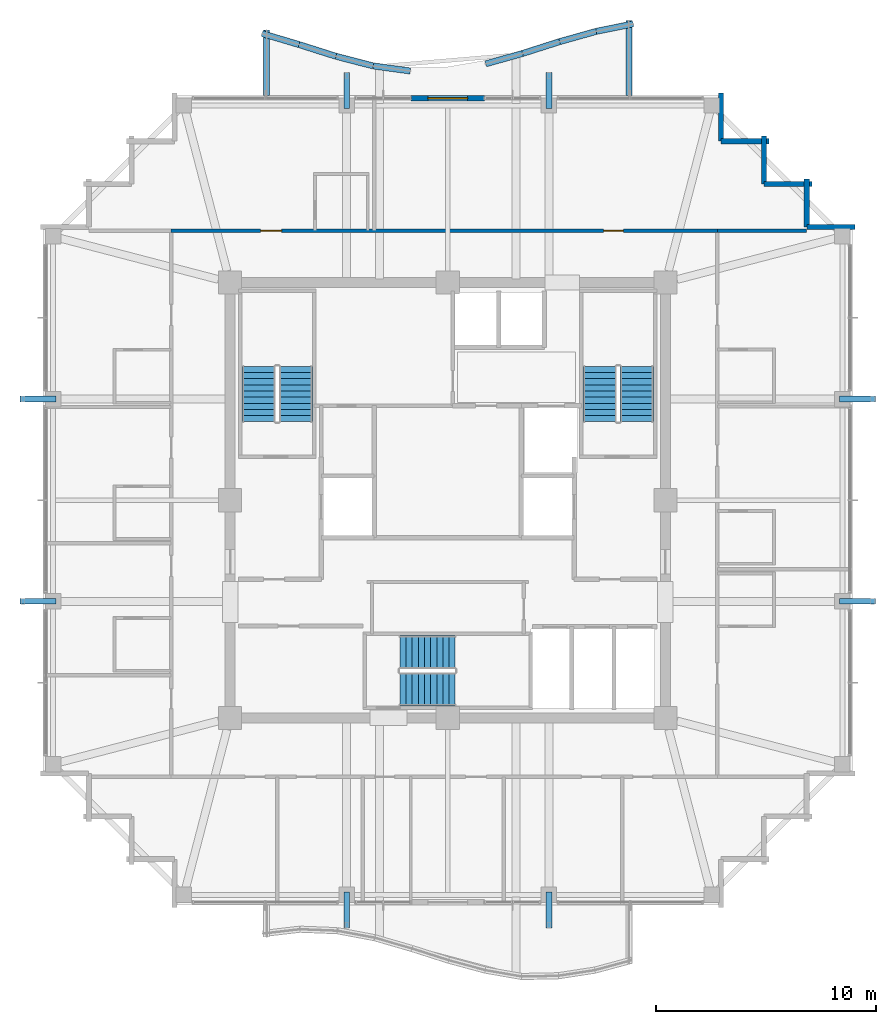
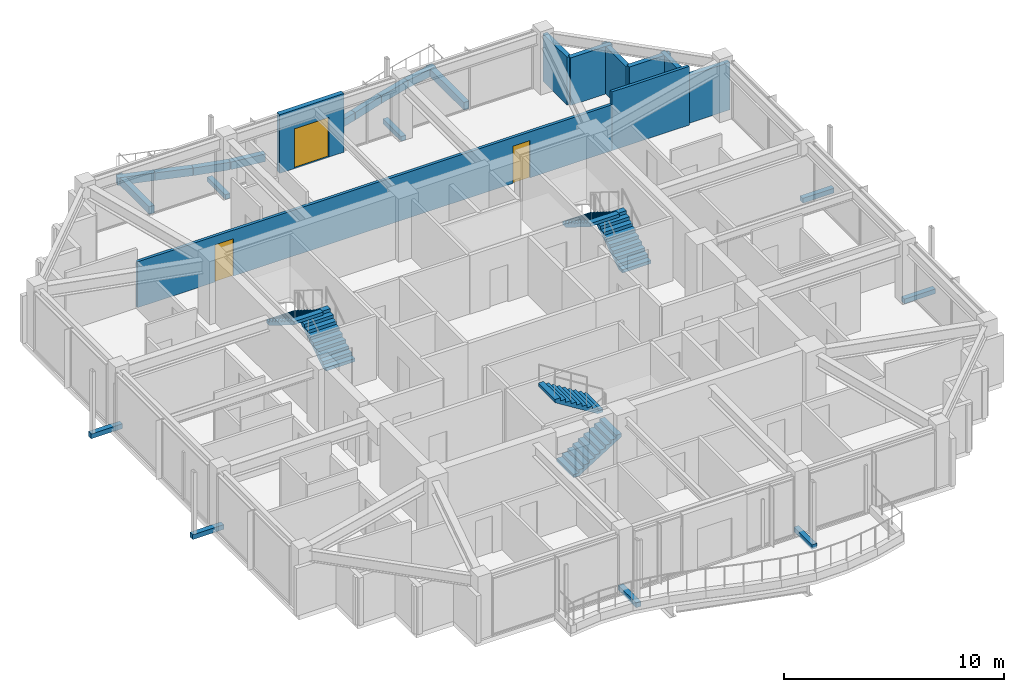
# One storey, part 29 of 31: 19 walls, 8 discrete accessories, 6 stair flights, 3 doors, 3 openings, 3 elements without a shape of their own.
"""IFC4 building model written with IfcOpenShell, lengths in metres."""

from ifc_helpers import new_model, si_unit, direction, frame, frame_2d, origin, origin_2d, place, context, subcontext, project, spatial, polyline, rectangle, outline, extrude, material, layer, layer_set, type_object, element, fill, aggregate, save


model = new_model("IFC4")

# Units and contexts
model_context = context("Model", 3, precision=1e-05, world=origin(), true_north=direction((0.0, 1.0)))
body_context = subcontext(model_context, "Body", "Model", "MODEL_VIEW")
ifc_project = project(units=[si_unit("LENGTHUNIT", "METRE"), si_unit("AREAUNIT", "SQUARE_METRE"), si_unit("VOLUMEUNIT", "CUBIC_METRE"), si_unit("PLANEANGLEUNIT", "RADIAN"), si_unit("MASSUNIT", "GRAM", prefix="KILO")], contexts=[model_context])

# Site, building, storey
site_placement = place(None, origin())
site = spatial("IfcSite", under=ifc_project, at=site_placement, CompositionType="ELEMENT")
building_placement = place(site_placement, origin())
building = spatial("IfcBuilding", under=site, at=building_placement, Name="Kolvaren Belvedere", CompositionType="ELEMENT")
storey_placement = place(building_placement, frame((0.0, 0.0, 247.89990234375)))
storey = spatial("IfcBuildingStorey", under=building, at=storey_placement, Name="L72", CompositionType="ELEMENT", Elevation=247.89990234375)

# Wall, openings, doors
ifc_material_1 = material(Name="Gypsum fire-rated partition assembly", Category="gypsum")
ifc_layer_1 = layer(ifc_material_1, 0.14990234375)
ifc_layer_set_1 = layer_set([ifc_layer_1], Name="Gypsum fire-rated partition assembly")
wall_type_1 = type_object("IfcWallType", Name="WL-CORR-150", PredefinedType="PARTITIONING", material=ifc_layer_set_1)
wall_1_placement = place(storey_placement, frame((-12.580078125, 12.260009765625, 0.0), z_axis=(0.0, 0.0, 1.0), x_axis=(1.0, 0.0, 0.0)))
wall_1 = element("IfcWall", 1, at=wall_1_placement, inside=storey, type_object=wall_type_1, Name="L72 North Corridor Wall", PredefinedType="PARTITIONING", context=body_context, shape_type="SweptSolid", body=[
    extrude(rectangle(XDim=24.840087890625, YDim=0.14990234375, at=frame_2d((12.419921875, 0.0))), origin(), (0.0, 0.0, 1.0), 2.5390625),
])
opening_1_placement = place(wall_1_placement, frame((4.072998046875, 0.0, 0.0)))
opening_1 = element("IfcOpeningElement", 2, at=opening_1_placement, cuts=wall_1, Name="Opening D-FD60", PredefinedType="OPENING", context=body_context, shape_type="SweptSolid", body=[
    extrude(rectangle(XDim=0.949951171875, YDim=2.06005859375, at=frame_2d((0.47509765625, 1.030029296875))), frame((0.0, 0.0849609375, 0.0), z_axis=(0.0, -1.0, 0.0), x_axis=(1.0, 0.0, 0.0)), (0.0, 0.0, 1.0), 0.169921875),
])
opening_2_placement = place(wall_1_placement, frame((19.6650390625, 0.0, 0.0)))
opening_2 = element("IfcOpeningElement", 3, at=opening_2_placement, cuts=wall_1, Name="Opening D-INT90", PredefinedType="OPENING", context=body_context, shape_type="SweptSolid", body=[
    extrude(rectangle(XDim=0.89990234375, YDim=2.06005859375, at=frame_2d((0.449951171875, 1.030029296875))), frame((0.0, 0.0849609375, 0.0), z_axis=(0.0, -1.0, 0.0), x_axis=(1.0, 0.0, 0.0)), (0.0, 0.0, 1.0), 0.169921875),
])
ifc_material_2 = material(Name="Acoustic white-oak fire door leaf", Category="timber")
door_type_1 = type_object("IfcDoorType", Name="DR-FD60-950", OperationType="NOTDEFINED", PredefinedType="DOOR", material=ifc_material_2)
door_1_placement = place(opening_1_placement, origin())
door_1 = element("IfcDoor", 4, at=door_1_placement, inside=storey, type_object=door_type_1, Name="L72 King Guest Room 7212 Entry Door", OperationType="SINGLE_SWING_RIGHT", OverallHeight=2.06005859375, OverallWidth=0.949951171875, PredefinedType="DOOR", context=body_context, shape_type="SweptSolid", body=[
    extrude(rectangle(XDim=0.949951171875, YDim=2.06005859375, at=frame_2d((0.47509765625, 1.030029296875))), frame((0.0, 0.02490234375, 0.0), z_axis=(0.0, -1.0, 0.0), x_axis=(1.0, 0.0, 0.0)), (0.0, 0.0, 1.0), 0.050048828125),
])
fill(opening_1, door_1)
ifc_material_3 = material(Name="Stained Pacific white oak", Category="timber")
door_type_2 = type_object("IfcDoorType", Name="DR-INT-900", OperationType="NOTDEFINED", PredefinedType="DOOR", material=ifc_material_3)
door_2_placement = place(opening_2_placement, origin())
door_2 = element("IfcDoor", 5, at=door_2_placement, inside=storey, type_object=door_type_2, Name="L72 Lounge 7213 Door", OperationType="SINGLE_SWING_LEFT", OverallHeight=2.06005859375, OverallWidth=0.89990234375, PredefinedType="DOOR", context=body_context, shape_type="SweptSolid", body=[
    extrude(rectangle(XDim=0.89990234375, YDim=2.06005859375, at=frame_2d((0.449951171875, 1.030029296875))), frame((0.0, 0.02490234375, 0.0), z_axis=(0.0, -1.0, 0.0), x_axis=(1.0, 0.0, 0.0)), (0.0, 0.0, 1.0), 0.050048828125),
])
fill(opening_2, door_2)

# Walls
ifc_material_4 = material(Name="Insulated pale-metal facade wall assembly", Category="aluminium")
ifc_layer_2 = layer(ifc_material_4, 0.239990234375)
ifc_layer_set_2 = layer_set([ifc_layer_2], Name="Insulated pale-metal facade wall assembly")
wall_type_2 = type_object("IfcWallType", Name="WL-EXT-240", PredefinedType="STANDARD", material=ifc_layer_set_2)
wall_2_placement = place(storey_placement, frame((16.330078125, 12.429931640625, 0.0), z_axis=(0.0, 0.0, 1.0), x_axis=(1.0, 0.0, 0.0)))
element("IfcWall", 6, at=wall_2_placement, inside=storey, type_object=wall_type_2, Name="L72 Serrated Corner Facade Wall 9", PredefinedType="STANDARD", context=body_context, shape_type="SweptSolid", body=[
    extrude(rectangle(XDim=2.18994140625, YDim=0.239990234375, at=frame_2d((1.094970703125, 0.0))), origin(), (0.0, 0.0, 1.0), 2.633056640625),
])
for number, where, z_axis, x_axis, name in (
    (7, (16.330078125, 14.6201171875, 0.0), (0.0, 0.0, 1.0), (0.0, -1.0, 0.0), "L72 Serrated Corner Facade Wall 10"),
    (8, (14.3798828125, 14.3798828125, 0.0), (0.0, 0.0, 1.0), (1.0, 0.0, 0.0), "L72 Serrated Corner Facade Wall 11"),
    (9, (14.3798828125, 16.570068359375, 0.0), (0.0, 0.0, 1.0), (0.0, -1.0, 0.0), "L72 Serrated Corner Facade Wall 12"),
    (10, (12.429931640625, 16.330078125, 0.0), (0.0, 0.0, 1.0), (1.0, 0.0, 0.0), "L72 Serrated Corner Facade Wall 13"),
):
    element("IfcWall", number, at=place(storey_placement, frame(where, z_axis=z_axis, x_axis=x_axis)), inside=storey, type_object=wall_type_2, Name=name, PredefinedType="STANDARD", context=body_context, shape_type="SweptSolid", body=[
        extrude(rectangle(XDim=2.190185546875, YDim=0.239990234375, at=frame_2d((1.09521484375, 0.0))), origin(), (0.0, 0.0, 1.0), 2.633056640625),
    ])
wall_3_placement = place(storey_placement, frame((12.429931640625, 18.52001953125, 0.0), z_axis=(0.0, 0.0, 1.0), x_axis=(0.0, -1.0, 0.0)))
element("IfcWall", 11, at=wall_3_placement, inside=storey, type_object=wall_type_2, Name="L72 Serrated Corner Facade Wall 14", PredefinedType="STANDARD", context=body_context, shape_type="SweptSolid", body=[
    extrude(rectangle(XDim=2.18994140625, YDim=0.239990234375, at=frame_2d((1.094970703125, 0.0))), origin(), (0.0, 0.0, 1.0), 2.633056640625),
])

# Wall, opening, door
wall_4_placement = place(storey_placement, frame((-1.679931640625, 18.280029296875, 0.0), z_axis=(0.0, 0.0, 1.0), x_axis=(1.0, 0.0, 0.0)))
wall_4 = element("IfcWall", 12, at=wall_4_placement, inside=storey, type_object=wall_type_2, Name="L72 North Terrace Portal Wall", PredefinedType="STANDARD", context=body_context, shape_type="SweptSolid", body=[
    extrude(rectangle(XDim=3.35986328125, YDim=0.239990234375, at=frame_2d((1.679931640625, 0.0))), origin(), (0.0, 0.0, 1.0), 3.25),
])
opening_3_placement = place(wall_4_placement, frame((0.780029296875, 0.0, 0.0)))
opening_3 = element("IfcOpeningElement", 13, at=opening_3_placement, cuts=wall_4, Name="Opening DB-1800", PredefinedType="OPENING", context=body_context, shape_type="SweptSolid", body=[
    extrude(rectangle(XDim=1.800048828125, YDim=2.199951171875, at=frame_2d((0.89990234375, 1.10009765625))), frame((0.0, 0.1298828125, 0.0), z_axis=(0.0, -1.0, 0.0), x_axis=(1.0, 0.0, 0.0)), (0.0, 0.0, 1.0), 0.260009765625),
])
ifc_material_5 = material(Name="Thermally broken pale-metal aluminium & low-iron glass", Category="aluminium")
door_type_3 = type_object("IfcDoorType", Name="DR-BAL-1800", OperationType="DOUBLE_DOOR_SLIDING", PredefinedType="DOOR", material=ifc_material_5)
door_3_placement = place(opening_3_placement, origin())
door_3 = element("IfcDoor", 14, at=door_3_placement, inside=storey, type_object=door_type_3, Name="L72 North Planted Terrace Sliding Door", OperationType="DOUBLE_DOOR_SLIDING", OverallHeight=2.199951171875, OverallWidth=1.800048828125, PredefinedType="DOOR", context=body_context, shape_type="SweptSolid", body=[
    extrude(rectangle(XDim=1.800048828125, YDim=2.199951171875, at=frame_2d((0.89990234375, 1.10009765625))), frame((0.0, 0.02490234375, 0.0), z_axis=(0.0, -1.0, 0.0), x_axis=(1.0, 0.0, 0.0)), (0.0, 0.0, 1.0), 0.050048828125),
])
fill(opening_3, door_3)

# Walls
ifc_material_6 = material(Name="Gypsum acoustic partition assembly", Category="gypsum")
ifc_layer_3 = layer(ifc_material_6, 0.14990234375)
ifc_layer_set_3 = layer_set([ifc_layer_3], Name="Gypsum acoustic partition assembly")
wall_type_3 = type_object("IfcWallType", Name="WL-PART-150", PredefinedType="PARTITIONING", material=ifc_layer_set_3)
wall_5_placement = place(storey_placement, frame((12.260009765625, 12.260009765625, 0.0), z_axis=(0.0, 0.0, 1.0), x_axis=(1.0, 0.0, 0.0)))
element("IfcWall", 15, at=wall_5_placement, inside=storey, type_object=wall_type_3, Name="L72 Wing Divider PW-L72-QNE", PredefinedType="PARTITIONING", context=body_context, shape_type="SweptSolid", body=[
    extrude(rectangle(XDim=4.06005859375, YDim=0.14990234375, at=frame_2d((2.030029296875, 0.0))), origin(), (0.0, 0.0, 1.0), 3.25),
])
ifc_material_7 = material(Name="Precast concrete C40/50", Category="concrete")
ifc_layer_4 = layer(ifc_material_7, 0.300048828125)
ifc_layer_set_4 = layer_set([ifc_layer_4], Name="Precast concrete C40/50")
wall_type_4 = type_object("IfcWallType", Name="WL-PLANTER-300", PredefinedType="PARAPET", material=ifc_layer_set_4)
wall_6_placement = place(storey_placement, frame((8.239990234375, 18.39990234375, -0.06982421875), z_axis=(0.0, 0.0, 1.0), x_axis=(0.0, 1.0, 0.0)))
element("IfcWall", 16, at=wall_6_placement, inside=storey, type_object=wall_type_4, Name="L72 Precast Structural Planter Wall BAL-N-11", PredefinedType="PARAPET", context=body_context, shape_type="SweptSolid", body=[
    extrude(rectangle(XDim=3.420166015625, YDim=0.280029296875, at=frame_2d((1.7099609375, 0.0))), origin(), (0.0, 0.0, 1.0), 0.419921875),
])
wall_7_placement = place(storey_placement, frame((8.431884765625, 21.6630859375, -0.06982421875), z_axis=(0.0, 0.0, 1.0), x_axis=(-0.980067977123, -0.198662427795, 0.0)))
element("IfcWall", 17, at=wall_7_placement, inside=storey, type_object=wall_type_4, Name="L72 Precast Structural Planter Wall BAL-N-12", PredefinedType="PARAPET", context=body_context, shape_type="SweptSolid", body=[
    extrude(rectangle(XDim=1.71435546875, YDim=0.280029296875, at=frame_2d((0.857177734375, 0.0))), origin(), (0.0, 0.0, 1.0), 0.419921875),
])
wall_8_placement = place(storey_placement, frame((6.76318359375, 21.3251953125, -0.06982421875), z_axis=(0.0, 0.0, 1.0), x_axis=(-0.962916043401, -0.269801210823, 0.0)))
element("IfcWall", 18, at=wall_8_placement, inside=storey, type_object=wall_type_4, Name="L72 Precast Structural Planter Wall BAL-N-13", PredefinedType="PARAPET", context=body_context, shape_type="SweptSolid", body=[
    extrude(rectangle(XDim=1.74462890625, YDim=0.280029296875, at=frame_2d((0.872314453125, 0.0))), origin(), (0.0, 0.0, 1.0), 0.419921875),
])
wall_9_placement = place(storey_placement, frame((5.088623046875, 20.856201171875, -0.06982421875), z_axis=(0.0, 0.0, 1.0), x_axis=(-0.952501264923, -0.304534629099, 0.0)))
element("IfcWall", 19, at=wall_9_placement, inside=storey, type_object=wall_type_4, Name="L72 Precast Structural Planter Wall BAL-N-14", PredefinedType="PARAPET", context=body_context, shape_type="SweptSolid", body=[
    extrude(rectangle(XDim=1.763671875, YDim=0.280029296875, at=frame_2d((0.8818359375, 0.0))), origin(), (0.0, 0.0, 1.0), 0.419921875),
])
wall_10_placement = place(storey_placement, frame((3.4033203125, 20.3173828125, -0.06982421875), z_axis=(0.0, 0.0, 1.0), x_axis=(-0.962926227834, -0.269764860108, 0.0)))
element("IfcWall", 20, at=wall_10_placement, inside=storey, type_object=wall_type_4, Name="L72 Precast Structural Planter Wall BAL-N-15", PredefinedType="PARAPET", context=body_context, shape_type="SweptSolid", body=[
    extrude(rectangle(XDim=1.744873046875, YDim=0.280029296875, at=frame_2d((0.87255859375, 0.0))), origin(), (0.0, 0.0, 1.0), 0.419921875),
])
wall_11_placement = place(storey_placement, frame((-1.70166015625, 19.5205078125, -0.06982421875), z_axis=(0.0, 0.0, 1.0), x_axis=(-0.990855562068, 0.134926850989, 0.0)))
element("IfcWall", 21, at=wall_11_placement, inside=storey, type_object=wall_type_4, Name="L72 Precast Structural Planter Wall BAL-N-18", PredefinedType="PARAPET", context=body_context, shape_type="SweptSolid", body=[
    extrude(rectangle(XDim=1.695556640625, YDim=0.280029296875, at=frame_2d((0.84765625, 0.0))), origin(), (0.0, 0.0, 1.0), 0.419921875),
])
wall_12_placement = place(storey_placement, frame((-3.400146484375, 19.7529296875, -0.06982421875), z_axis=(0.0, 0.0, 1.0), x_axis=(-0.968132209145, 0.250439664624, 0.0)))
element("IfcWall", 22, at=wall_12_placement, inside=storey, type_object=wall_type_4, Name="L72 Precast Structural Planter Wall BAL-N-19", PredefinedType="PARAPET", context=body_context, shape_type="SweptSolid", body=[
    extrude(rectangle(XDim=1.7353515625, YDim=0.280029296875, at=frame_2d((0.86767578125, 0.0))), origin(), (0.0, 0.0, 1.0), 0.419921875),
])
wall_13_placement = place(storey_placement, frame((-5.08837890625, 20.18994140625, -0.06982421875), z_axis=(0.0, 0.0, 1.0), x_axis=(-0.953181954832, 0.302397356111, 0.0)))
element("IfcWall", 23, at=wall_13_placement, inside=storey, type_object=wall_type_4, Name="L72 Precast Structural Planter Wall BAL-N-20", PredefinedType="PARAPET", context=body_context, shape_type="SweptSolid", body=[
    extrude(rectangle(XDim=1.762451171875, YDim=0.280029296875, at=frame_2d((0.88134765625, 0.0))), origin(), (0.0, 0.0, 1.0), 0.419921875),
])
wall_14_placement = place(storey_placement, frame((-6.765625, 20.721923828125, -0.06982421875), z_axis=(0.0, 0.0, 1.0), x_axis=(-0.958525043221, 0.28500831833, 0.0)))
element("IfcWall", 24, at=wall_14_placement, inside=storey, type_object=wall_type_4, Name="L72 Precast Structural Planter Wall BAL-N-21", PredefinedType="PARAPET", context=body_context, shape_type="SweptSolid", body=[
    extrude(rectangle(XDim=1.752685546875, YDim=0.280029296875, at=frame_2d((0.87646484375, 0.0))), origin(), (0.0, 0.0, 1.0), 0.419921875),
])
wall_15_placement = place(storey_placement, frame((-8.239990234375, 21.374755859375, -0.06982421875), z_axis=(0.0, 0.0, 1.0), x_axis=(0.0, -1.0, 0.0)))
element("IfcWall", 25, at=wall_15_placement, inside=storey, type_object=wall_type_4, Name="L72 Precast Structural Planter Wall BAL-N-22", PredefinedType="PARAPET", context=body_context, shape_type="SweptSolid", body=[
    extrude(rectangle(XDim=2.974853515625, YDim=0.280029296875, at=frame_2d((1.4873046875, 0.0))), origin(), (0.0, 0.0, 1.0), 0.419921875),
])

# Stair, stair flights
ifc_material_8 = material(Name="Concrete C50/60", Category="concrete")
stair_type = type_object("IfcStairType", Name="ST-CORE-1520", PredefinedType="HALF_TURN_STAIR", material=ifc_material_8)
stair_1_placement = place(storey_placement, origin())
stair_1 = element("IfcStair", 26, at=stair_1_placement, inside=storey, type_object=stair_type, Name="L72 Protected Exit Stair ST-1", PredefinedType="HALF_TURN_STAIR")
ifc_material_9 = material(Name="Concrete C50/60", Category="concrete")
stair_flight_type = type_object("IfcStairFlightType", Name="SF-STR-1520", PredefinedType="STRAIGHT", material=ifc_material_9)
stair_flight_1_placement = place(storey_placement, frame((-6.919921875, 3.570068359375, 0.0), z_axis=(0.0, 0.0, 1.0), x_axis=(0.0, 1.0, 0.0)))
stair_flight_1 = element("IfcStairFlight", 27, at=stair_flight_1_placement, type_object=stair_flight_type, Name="ST-1 flight 1", NumberOfRisers=10, NumberOfTreads=9, PredefinedType="STRAIGHT", RiserHeight=0.175, TreadLength=0.28, context=body_context, shape_type="SweptSolid", body=[
    extrude(outline(polyline([(0.0, 0.0), (0.0, 0.175048828125), (0.280029296875, 0.175048828125), (0.280029296875, 0.35009765625), (0.56005859375, 0.35009765625), (0.56005859375, 0.52490234375), (0.840087890625, 0.52490234375), (0.840087890625, 0.699951171875), (1.1201171875, 0.699951171875), (1.1201171875, 0.875), (1.39990234375, 0.875), (1.39990234375, 1.050048828125), (1.679931640625, 1.050048828125), (1.679931640625, 1.22509765625), (1.9599609375, 1.22509765625), (1.9599609375, 1.39990234375), (2.239990234375, 1.39990234375), (2.239990234375, 1.574951171875), (2.52001953125, 1.574951171875), (2.52001953125, 1.75), (2.52001953125, 1.398193359375), (0.28271484375, 0.0), (0.0, 0.0)])), frame((0.0, 0.760009765625, 0.0), z_axis=(0.0, -1.0, 0.0), x_axis=(1.0, 0.0, 0.0)), (0.0, 0.0, 1.0), 1.52001953125),
])
stair_flight_2_placement = place(storey_placement, frame((-8.590087890625, 6.090087890625, 1.75), z_axis=(0.0, 0.0, 1.0), x_axis=(0.0, -1.0, 0.0)))
stair_flight_2 = element("IfcStairFlight", 28, at=stair_flight_2_placement, type_object=stair_flight_type, Name="ST-1 flight 2", NumberOfRisers=10, NumberOfTreads=9, PredefinedType="STRAIGHT", RiserHeight=0.175, TreadLength=0.28, context=body_context, shape_type="SweptSolid", body=[
    extrude(outline(polyline([(0.0, 0.0), (0.0, 0.175048828125), (0.280029296875, 0.175048828125), (0.280029296875, 0.35009765625), (0.56005859375, 0.35009765625), (0.56005859375, 0.52490234375), (0.840087890625, 0.52490234375), (0.840087890625, 0.699951171875), (1.1201171875, 0.699951171875), (1.1201171875, 0.875), (1.39990234375, 0.875), (1.39990234375, 1.050048828125), (1.679931640625, 1.050048828125), (1.679931640625, 1.22509765625), (1.9599609375, 1.22509765625), (1.9599609375, 1.39990234375), (2.239990234375, 1.39990234375), (2.239990234375, 1.574951171875), (2.52001953125, 1.574951171875), (2.52001953125, 1.75), (2.52001953125, 1.398193359375), (0.28271484375, 0.0), (0.0, 0.0)])), frame((0.0, 0.760009765625, 0.0), z_axis=(0.0, -1.0, 0.0), x_axis=(1.0, 0.0, 0.0)), (0.0, 0.0, 1.0), 1.52001953125),
])
aggregate(stair_1, [stair_flight_1, stair_flight_2])

stair_2_placement = place(storey_placement, origin())
stair_2 = element("IfcStair", 29, at=stair_2_placement, inside=storey, type_object=stair_type, Name="L72 Protected Exit Stair ST-2", PredefinedType="HALF_TURN_STAIR")
stair_flight_3_placement = place(storey_placement, frame((8.590087890625, 3.570068359375, 0.0), z_axis=(0.0, 0.0, 1.0), x_axis=(0.0, 1.0, 0.0)))
stair_flight_3 = element("IfcStairFlight", 30, at=stair_flight_3_placement, type_object=stair_flight_type, Name="ST-2 flight 1", NumberOfRisers=10, NumberOfTreads=9, PredefinedType="STRAIGHT", RiserHeight=0.175, TreadLength=0.28, context=body_context, shape_type="SweptSolid", body=[
    extrude(outline(polyline([(0.0, 0.0), (0.0, 0.175048828125), (0.280029296875, 0.175048828125), (0.280029296875, 0.35009765625), (0.56005859375, 0.35009765625), (0.56005859375, 0.52490234375), (0.840087890625, 0.52490234375), (0.840087890625, 0.699951171875), (1.1201171875, 0.699951171875), (1.1201171875, 0.875), (1.39990234375, 0.875), (1.39990234375, 1.050048828125), (1.679931640625, 1.050048828125), (1.679931640625, 1.22509765625), (1.9599609375, 1.22509765625), (1.9599609375, 1.39990234375), (2.239990234375, 1.39990234375), (2.239990234375, 1.574951171875), (2.52001953125, 1.574951171875), (2.52001953125, 1.75), (2.52001953125, 1.398193359375), (0.28271484375, 0.0), (0.0, 0.0)])), frame((0.0, 0.760009765625, 0.0), z_axis=(0.0, -1.0, 0.0), x_axis=(1.0, 0.0, 0.0)), (0.0, 0.0, 1.0), 1.52001953125),
])
stair_flight_4_placement = place(storey_placement, frame((6.919921875, 6.090087890625, 1.75), z_axis=(0.0, 0.0, 1.0), x_axis=(0.0, -1.0, 0.0)))
stair_flight_4 = element("IfcStairFlight", 31, at=stair_flight_4_placement, type_object=stair_flight_type, Name="ST-2 flight 2", NumberOfRisers=10, NumberOfTreads=9, PredefinedType="STRAIGHT", RiserHeight=0.175, TreadLength=0.28, context=body_context, shape_type="SweptSolid", body=[
    extrude(outline(polyline([(0.0, 0.0), (0.0, 0.175048828125), (0.280029296875, 0.175048828125), (0.280029296875, 0.35009765625), (0.56005859375, 0.35009765625), (0.56005859375, 0.52490234375), (0.840087890625, 0.52490234375), (0.840087890625, 0.699951171875), (1.1201171875, 0.699951171875), (1.1201171875, 0.875), (1.39990234375, 0.875), (1.39990234375, 1.050048828125), (1.679931640625, 1.050048828125), (1.679931640625, 1.22509765625), (1.9599609375, 1.22509765625), (1.9599609375, 1.39990234375), (2.239990234375, 1.39990234375), (2.239990234375, 1.574951171875), (2.52001953125, 1.574951171875), (2.52001953125, 1.75), (2.52001953125, 1.398193359375), (0.28271484375, 0.0), (0.0, 0.0)])), frame((0.0, 0.760009765625, 0.0), z_axis=(0.0, -1.0, 0.0), x_axis=(1.0, 0.0, 0.0)), (0.0, 0.0, 1.0), 1.52001953125),
])
aggregate(stair_2, [stair_flight_3, stair_flight_4])

stair_3_placement = place(storey_placement, origin())
stair_3 = element("IfcStair", 32, at=stair_3_placement, inside=storey, type_object=stair_type, Name="L72 Protected Exit Stair ST-3", PredefinedType="HALF_TURN_STAIR")
stair_flight_5_placement = place(storey_placement, frame((-2.179931640625, -8.590087890625, 0.0), z_axis=(0.0, 0.0, 1.0), x_axis=(1.0, 0.0, 0.0)))
stair_flight_5 = element("IfcStairFlight", 33, at=stair_flight_5_placement, type_object=stair_flight_type, Name="ST-3 flight 1", NumberOfRisers=10, NumberOfTreads=9, PredefinedType="STRAIGHT", RiserHeight=0.175, TreadLength=0.28, context=body_context, shape_type="SweptSolid", body=[
    extrude(outline(polyline([(0.0, 0.0), (0.0, 0.175048828125), (0.280029296875, 0.175048828125), (0.280029296875, 0.35009765625), (0.56005859375, 0.35009765625), (0.56005859375, 0.52490234375), (0.840087890625, 0.52490234375), (0.840087890625, 0.699951171875), (1.1201171875, 0.699951171875), (1.1201171875, 0.875), (1.39990234375, 0.875), (1.39990234375, 1.050048828125), (1.679931640625, 1.050048828125), (1.679931640625, 1.22509765625), (1.9599609375, 1.22509765625), (1.9599609375, 1.39990234375), (2.239990234375, 1.39990234375), (2.239990234375, 1.574951171875), (2.52001953125, 1.574951171875), (2.52001953125, 1.75), (2.52001953125, 1.398193359375), (0.28271484375, 0.0), (0.0, 0.0)])), frame((0.0, 0.760009765625, 0.0), z_axis=(0.0, -1.0, 0.0), x_axis=(1.0, 0.0, 0.0)), (0.0, 0.0, 1.0), 1.52001953125),
])
stair_flight_6_placement = place(storey_placement, frame((0.340087890625, -6.919921875, 1.75), z_axis=(0.0, 0.0, 1.0), x_axis=(-1.0, 0.0, 0.0)))
stair_flight_6 = element("IfcStairFlight", 34, at=stair_flight_6_placement, type_object=stair_flight_type, Name="ST-3 flight 2", NumberOfRisers=10, NumberOfTreads=9, PredefinedType="STRAIGHT", RiserHeight=0.175, TreadLength=0.28, context=body_context, shape_type="SweptSolid", body=[
    extrude(outline(polyline([(0.0, 0.0), (0.0, 0.175048828125), (0.280029296875, 0.175048828125), (0.280029296875, 0.35009765625), (0.56005859375, 0.35009765625), (0.56005859375, 0.52490234375), (0.840087890625, 0.52490234375), (0.840087890625, 0.699951171875), (1.1201171875, 0.699951171875), (1.1201171875, 0.875), (1.39990234375, 0.875), (1.39990234375, 1.050048828125), (1.679931640625, 1.050048828125), (1.679931640625, 1.22509765625), (1.9599609375, 1.22509765625), (1.9599609375, 1.39990234375), (2.239990234375, 1.39990234375), (2.239990234375, 1.574951171875), (2.52001953125, 1.574951171875), (2.52001953125, 1.75), (2.52001953125, 1.398193359375), (0.28271484375, 0.0), (0.0, 0.0)])), frame((0.0, 0.760009765625, 0.0), z_axis=(0.0, -1.0, 0.0), x_axis=(1.0, 0.0, 0.0)), (0.0, 0.0, 1.0), 1.52001953125),
])
aggregate(stair_3, [stair_flight_5, stair_flight_6])

# Discrete accessories
ifc_material_10 = material(Name="Structural steel ASTM A572 Grade 50", Category="steel")
discrete_accessory_type = type_object("IfcDiscreteAccessoryType", Name="BRK-1 Steel Facade Support Bracket", PredefinedType="BRACKET", material=ifc_material_10)
for number, where, z_axis, x_axis, name in (
    (35, (-4.60009765625, 18.635009765625, -0.169921875), (0.0, 0.0, 1.0), (0.0, 1.0, 0.0), "L72 Picture-Frame Outrigger Cleat Bracket N1"),
    (36, (4.60009765625, 18.635009765625, -0.169921875), (0.0, 0.0, 1.0), (0.0, 1.0, 0.0), "L72 Picture-Frame Outrigger Cleat Bracket N2"),
    (37, (4.60009765625, -18.635009765625, -0.169921875), (0.0, 0.0, 1.0), (0.0, 1.0, 0.0), "L72 Picture-Frame Outrigger Cleat Bracket S1"),
    (38, (-4.60009765625, -18.635009765625, -0.169921875), (0.0, 0.0, 1.0), (0.0, 1.0, 0.0), "L72 Picture-Frame Outrigger Cleat Bracket S2"),
    (39, (18.635009765625, 4.60009765625, -0.169921875), (0.0, 0.0, 1.0), (1.0, 0.0, 0.0), "L72 Picture-Frame Outrigger Cleat Bracket E1"),
    (40, (18.635009765625, -4.60009765625, -0.169921875), (0.0, 0.0, 1.0), (1.0, 0.0, 0.0), "L72 Picture-Frame Outrigger Cleat Bracket E2"),
    (41, (-18.635009765625, -4.60009765625, -0.169921875), (0.0, 0.0, 1.0), (1.0, 0.0, 0.0), "L72 Picture-Frame Outrigger Cleat Bracket W1"),
    (42, (-18.635009765625, 4.60009765625, -0.169921875), (0.0, 0.0, 1.0), (1.0, 0.0, 0.0), "L72 Picture-Frame Outrigger Cleat Bracket W2"),
):
    element("IfcDiscreteAccessory", number, at=place(storey_placement, frame(where, z_axis=z_axis, x_axis=x_axis)), inside=storey, type_object=discrete_accessory_type, Name=name, PredefinedType="BRACKET", context=body_context, shape_type="SweptSolid", body=[
        extrude(rectangle(XDim=1.639892578125, YDim=0.260009765625, at=origin_2d()), origin(), (0.0, 0.0, 1.0), 0.260009765625),
    ])

save(model, "model.ifc")
